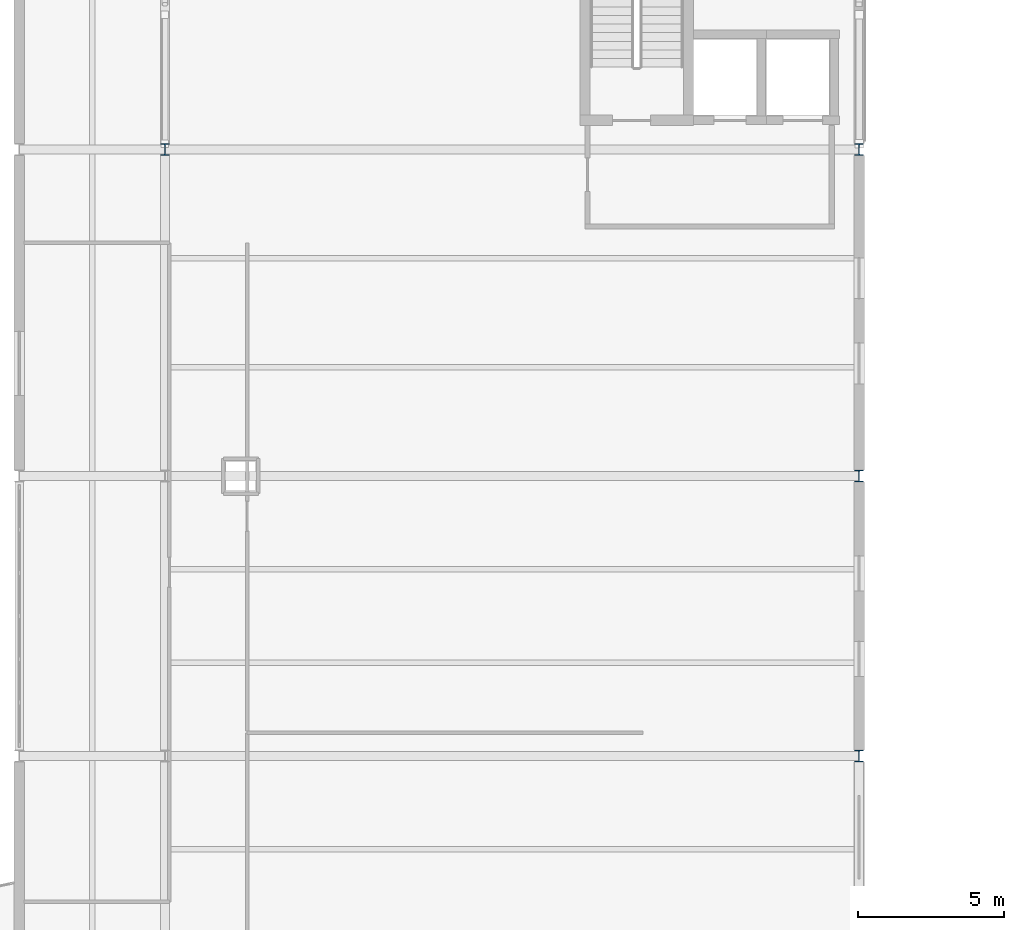
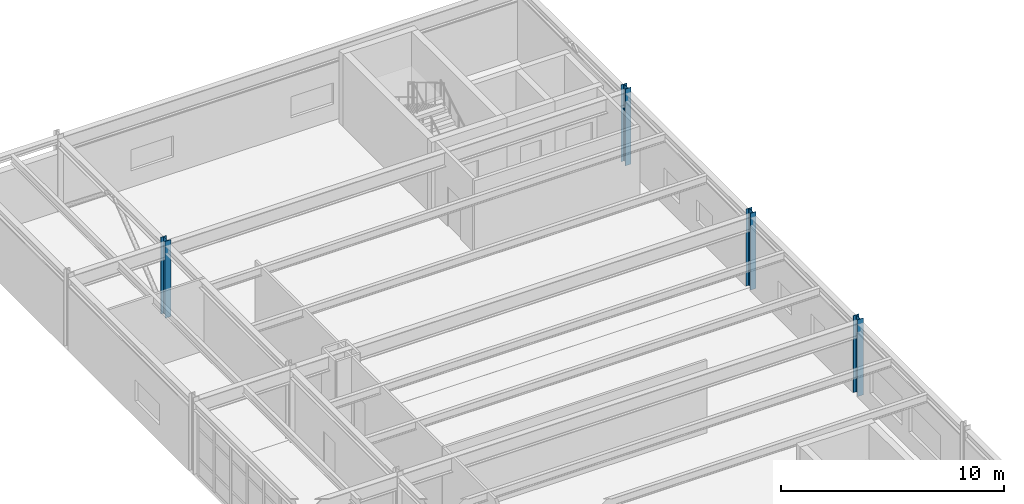
# One storey, part 14 of 99: 4 columns.
"""IFC4 building model written with IfcOpenShell, lengths in metres."""

from ifc_helpers import new_model, si_unit, direction, frame, origin, origin_2d, place, context, subcontext, project, spatial, i_section, extrude, material, material_profile, profile_set, type_object, element, save


model = new_model("IFC4")

# Units and contexts
model_context = context("Model", 3, precision=1e-05, world=origin(), true_north=direction((0.0, 1.0)))
body_context = subcontext(model_context, "Body", "Model", "MODEL_VIEW")
ifc_project = project(units=[si_unit("LENGTHUNIT", "METRE"), si_unit("AREAUNIT", "SQUARE_METRE"), si_unit("VOLUMEUNIT", "CUBIC_METRE"), si_unit("PLANEANGLEUNIT", "RADIAN"), si_unit("MASSUNIT", "GRAM", prefix="KILO")], contexts=[model_context])

# Site, building, storey
site_placement = place(None, origin())
site = spatial("IfcSite", under=ifc_project, at=site_placement, CompositionType="ELEMENT")
building_placement = place(site_placement, origin())
building = spatial("IfcBuilding", under=site, at=building_placement, Name="Nordkorset Police Headquarters", CompositionType="ELEMENT")
storey_placement = place(building_placement, frame((0.0, 0.0, 5.25)))
storey = spatial("IfcBuildingStorey", under=building, at=storey_placement, Name="L01", CompositionType="ELEMENT", Elevation=5.25)

# Columns
ifc_material = material(Name="Steel S355J2", Category="steel")
ifc_material_profile = material_profile(ifc_material, i_section(OverallWidth=0.300048828125, OverallDepth=0.39990234375, WebThickness=0.013427734375, FlangeThickness=0.02392578125, FilletRadius=0.027099609375, at=origin_2d()), Name="HEB 400")
ifc_profile_set = profile_set([ifc_material_profile], Name="Steel S355J2")
column_type = type_object("IfcColumnType", Name="Col_HEB_400", PredefinedType="COLUMN", material=ifc_profile_set)
for number, where, z_axis, x_axis, name in (
    (1, (115.199951171875, 67.199951171875, 0.0), (0.0, 0.0, 1.0), (1.0, 0.0, 0.0), "Structural Column V5_X2_2 L01"),
    (2, (115.199951171875, 76.800048828125, 0.0), (0.0, 0.0, 1.0), (1.0, 0.0, 0.0), "Structural Column V5_X2_3 L01"),
    (3, (91.39990234375, 88.0, 0.0), (0.0, 0.0, 1.0), (1.0, 0.0, 0.0), "Structural Column V5_X1_4 L01"),
    (4, (115.199951171875, 88.0, 0.0), (0.0, 0.0, 1.0), (1.0, 0.0, 0.0), "Structural Column V5_X2_4 L01"),
):
    element("IfcColumn", number, at=place(storey_placement, frame(where, z_axis=z_axis, x_axis=x_axis)), inside=storey, type_object=column_type, Name=name, PredefinedType="COLUMN", context=body_context, shape_type="SweptSolid", body=[
        extrude(i_section(OverallWidth=0.300048828125, OverallDepth=0.39990234375, WebThickness=0.013427734375, FlangeThickness=0.02392578125, FilletRadius=0.027099609375, at=origin_2d()), origin(), (0.0, 0.0, 1.0), 4.199951171875),
    ])

save(model, "model.ifc")
